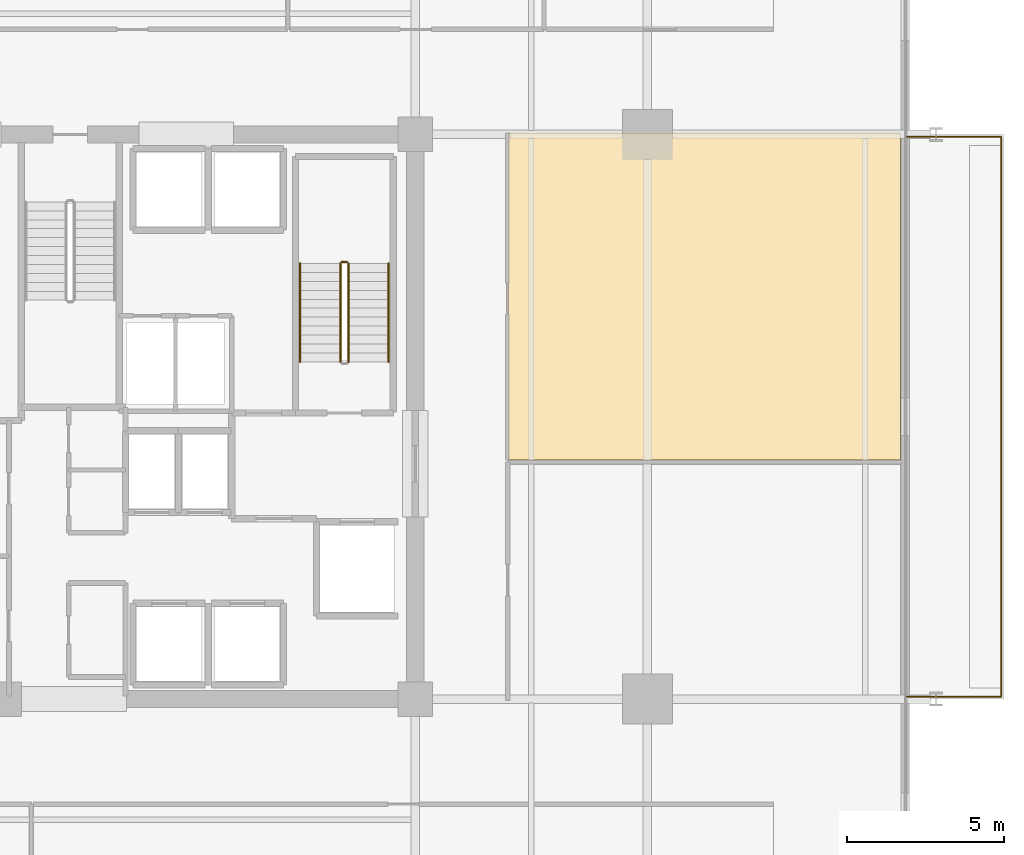
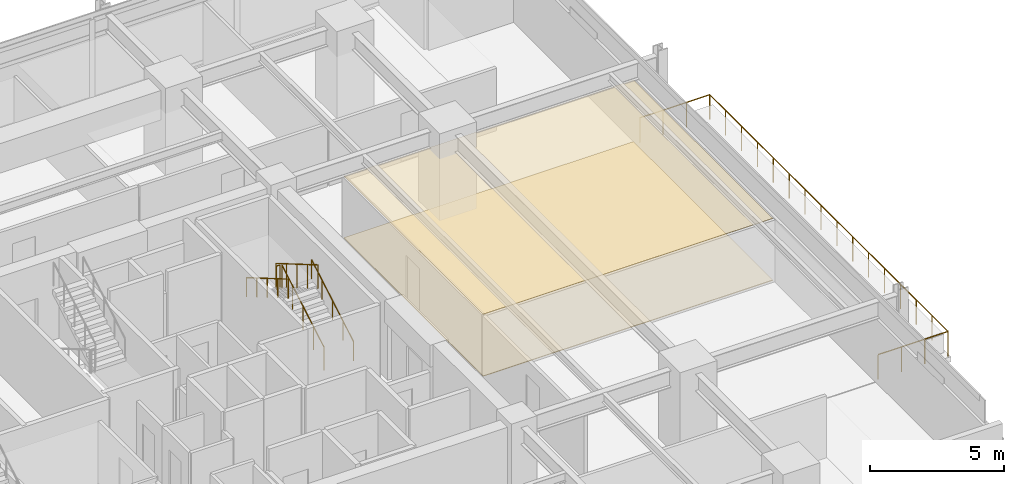
# One storey, part 21 of 22: 6 railings, 2 coverings.
"""IFC4 building model written with IfcOpenShell, lengths in metres."""

from ifc_helpers import new_model, si_unit, direction, frame, origin, origin_2d, place, context, subcontext, project, spatial, polyline, circle, outline, extrude, material, layer, layer_set, type_object, element, save


model = new_model("IFC4")

# Units and contexts
model_context = context("Model", 3, precision=1e-05, world=origin(), true_north=direction((0.0, 1.0)))
body_context = subcontext(model_context, "Body", "Model", "MODEL_VIEW")
ifc_project = project(units=[si_unit("LENGTHUNIT", "METRE"), si_unit("AREAUNIT", "SQUARE_METRE"), si_unit("VOLUMEUNIT", "CUBIC_METRE"), si_unit("PLANEANGLEUNIT", "RADIAN"), si_unit("MASSUNIT", "GRAM", prefix="KILO")], contexts=[model_context])

# Site, building, storey
site_placement = place(None, origin())
site = spatial("IfcSite", under=ifc_project, at=site_placement, CompositionType="ELEMENT")
building_placement = place(site_placement, origin())
building = spatial("IfcBuilding", under=site, at=building_placement, Name="Kovane Verandah Tower", CompositionType="ELEMENT")
storey_placement = place(building_placement, frame((0.0, 0.0, 180.39990234375)))
storey = spatial("IfcBuildingStorey", under=building, at=storey_placement, Name="L42", CompositionType="ELEMENT", Elevation=180.39990234375)

# Coverings
ifc_material_1 = material(Name="Perforated Acoustic Mineral-Fibre Ceiling Tile", Category="gypsum")
ifc_layer_1 = layer(ifc_material_1, 0.02490234375)
ifc_layer_set_1 = layer_set([ifc_layer_1], Name="Perforated Acoustic Mineral-Fibre Ceiling Tile")
covering_type_1 = type_object("IfcCoveringType", Name="CV-CEIL-25", PredefinedType="CEILING", material=ifc_layer_set_1)
covering_1_placement = place(storey_placement, frame((0.0, 0.0, 2.8251953125)))
element("IfcCovering", 1, at=covering_1_placement, inside=storey, type_object=covering_type_1, Name="L42 Collaboration Hub E2 Acoustic Ceiling", PredefinedType="CEILING", context=body_context, shape_type="SweptSolid", body=[
    extrude(outline(polyline([(53.949951171875, 26.1220703125), (66.469970703125, 26.1220703125), (66.469970703125, 36.550048828125), (53.949951171875, 36.550048828125), (53.949951171875, 26.1220703125)])), origin(), (0.0, 0.0, 1.0), 0.02490234375),
])
ifc_material_2 = material(Name="Polished Terrazzo and Raised-Access Carpet Tile Finish", Category="concrete")
ifc_layer_2 = layer(ifc_material_2, 0.030029296875)
ifc_layer_set_2 = layer_set([ifc_layer_2], Name="Polished Terrazzo and Raised-Access Carpet Tile Finish")
covering_type_2 = type_object("IfcCoveringType", Name="CV-FLOR-30", PredefinedType="FLOORING", material=ifc_layer_set_2)
covering_2_placement = place(storey_placement, origin())
element("IfcCovering", 2, at=covering_2_placement, inside=storey, type_object=covering_type_2, Name="L42 Collaboration Hub E2 Floor Finish", PredefinedType="FLOORING", context=body_context, shape_type="SweptSolid", body=[
    extrude(outline(polyline([(53.949951171875, 26.1220703125), (66.469970703125, 26.1220703125), (66.469970703125, 36.550048828125), (53.949951171875, 36.550048828125), (53.949951171875, 26.1220703125)])), origin(), (0.0, 0.0, 1.0), 0.030029296875),
])

# Railings
ifc_material_3 = material(Name="Laminated Glass and Pale-Champagne Stainless Balustrade", Category="glass")
railing_type_1 = type_object("IfcRailingType", Name="RL-BAL-1150", PredefinedType="BALUSTRADE", material=ifc_material_3)
railing_1_placement = place(storey_placement, frame((66.669921875, 18.580078125, 0.0)))
element("IfcRailing", 3, at=railing_1_placement, inside=storey, type_object=railing_type_1, Name="L42 E Verandah Glass Balustrade", PredefinedType="BALUSTRADE", context=body_context, shape_type="SweptSolid", body=[
    extrude(circle(Radius=0.02392578125, at=origin_2d()), frame((0.0, 0.0, 1.1259765625), z_axis=(1.0, 0.0, 0.0), x_axis=(0.0, 1.0, 0.0)), (0.0, 0.0, 1.0), 3.02001953125),
    extrude(circle(Radius=0.02392578125, at=origin_2d()), frame((3.02001953125, 0.0, 1.1259765625), z_axis=(0.0, 1.0, 0.0), x_axis=(-1.0, 0.0, 0.0)), (0.0, 0.0, 1.0), 17.83984375),
    extrude(circle(Radius=0.02392578125, at=origin_2d()), frame((3.02001953125, 17.83984375, 1.1259765625), z_axis=(-1.0, 0.0, 0.0), x_axis=(0.0, -1.0, 0.0)), (0.0, 0.0, 1.0), 3.02001953125),
    extrude(circle(Radius=0.02099609375, at=origin_2d()), origin(), (0.0, 0.0, 1.0), 1.101806640625),
    extrude(circle(Radius=0.02099609375, at=origin_2d()), frame((1.006591796875, 0.0, 0.0)), (0.0, 0.0, 1.0), 1.101806640625),
    extrude(circle(Radius=0.02099609375, at=origin_2d()), frame((2.013427734375, 0.0, 0.0)), (0.0, 0.0, 1.0), 1.101806640625),
    extrude(circle(Radius=0.02099609375, at=origin_2d()), frame((3.02001953125, 0.0, 0.0)), (0.0, 0.0, 1.0), 1.101806640625),
    extrude(circle(Radius=0.02099609375, at=origin_2d()), frame((3.02001953125, 1.189208984375, 0.0)), (0.0, 0.0, 1.0), 1.101806640625),
    extrude(circle(Radius=0.02099609375, at=origin_2d()), frame((3.02001953125, 2.378662109375, 0.0)), (0.0, 0.0, 1.0), 1.101806640625),
    extrude(circle(Radius=0.02099609375, at=origin_2d()), frame((3.02001953125, 3.56787109375, 0.0)), (0.0, 0.0, 1.0), 1.101806640625),
    extrude(circle(Radius=0.02099609375, at=origin_2d()), frame((3.02001953125, 4.75732421875, 0.0)), (0.0, 0.0, 1.0), 1.101806640625),
    extrude(circle(Radius=0.02099609375, at=origin_2d()), frame((3.02001953125, 5.946533203125, 0.0)), (0.0, 0.0, 1.0), 1.101806640625),
    extrude(circle(Radius=0.02099609375, at=origin_2d()), frame((3.02001953125, 7.135986328125, 0.0)), (0.0, 0.0, 1.0), 1.101806640625),
    extrude(circle(Radius=0.02099609375, at=origin_2d()), frame((3.02001953125, 8.3251953125, 0.0)), (0.0, 0.0, 1.0), 1.101806640625),
    extrude(circle(Radius=0.02099609375, at=origin_2d()), frame((3.02001953125, 9.5146484375, 0.0)), (0.0, 0.0, 1.0), 1.101806640625),
    extrude(circle(Radius=0.02099609375, at=origin_2d()), frame((3.02001953125, 10.703857421875, 0.0)), (0.0, 0.0, 1.0), 1.101806640625),
    extrude(circle(Radius=0.02099609375, at=origin_2d()), frame((3.02001953125, 11.893310546875, 0.0)), (0.0, 0.0, 1.0), 1.101806640625),
    extrude(circle(Radius=0.02099609375, at=origin_2d()), frame((3.02001953125, 13.08251953125, 0.0)), (0.0, 0.0, 1.0), 1.101806640625),
    extrude(circle(Radius=0.02099609375, at=origin_2d()), frame((3.02001953125, 14.27197265625, 0.0)), (0.0, 0.0, 1.0), 1.101806640625),
    extrude(circle(Radius=0.02099609375, at=origin_2d()), frame((3.02001953125, 15.461181640625, 0.0)), (0.0, 0.0, 1.0), 1.101806640625),
    extrude(circle(Radius=0.02099609375, at=origin_2d()), frame((3.02001953125, 16.650634765625, 0.0)), (0.0, 0.0, 1.0), 1.101806640625),
    extrude(circle(Radius=0.02099609375, at=origin_2d()), frame((3.02001953125, 17.83984375, 0.0)), (0.0, 0.0, 1.0), 1.101806640625),
    extrude(circle(Radius=0.02099609375, at=origin_2d()), frame((2.013427734375, 17.83984375, 0.0)), (0.0, 0.0, 1.0), 1.101806640625),
    extrude(circle(Radius=0.02099609375, at=origin_2d()), frame((1.006591796875, 17.83984375, 0.0)), (0.0, 0.0, 1.0), 1.101806640625),
    extrude(circle(Radius=0.02099609375, at=origin_2d()), frame((0.0, 17.83984375, 0.0)), (0.0, 0.0, 1.0), 1.101806640625),
])
ifc_material_4 = material(Name="Brushed Stainless Steel Handrail", Category="steel")
railing_type_2 = type_object("IfcRailingType", Name="RL-HAND-920", PredefinedType="HANDRAIL", material=ifc_material_4)
railing_2_placement = place(storey_placement, frame((50.14990234375, 29.25, 0.166748046875)))
element("IfcRailing", 4, at=railing_2_placement, inside=storey, type_object=railing_type_2, Name="L42 ST-02 stair handrail 1", PredefinedType="HANDRAIL", context=body_context, shape_type="SweptSolid", body=[
    extrude(circle(Radius=0.02392578125, at=origin_2d()), frame((0.0, 0.0, 0.8759765625), z_axis=(0.0, 0.863239559939, 0.504794475164), x_axis=(-1.0, 0.0, 0.0)), (0.0, 0.0, 1.0), 3.631591796875),
    extrude(circle(Radius=0.02099609375, at=origin_2d()), origin(), (0.0, 0.0, 1.0), 0.851806640625),
    extrude(circle(Radius=0.02099609375, at=origin_2d()), frame((0.0, 0.78369140625, 0.458251953125)), (0.0, 0.0, 1.0), 0.851806640625),
    extrude(circle(Radius=0.02099609375, at=origin_2d()), frame((0.0, 1.5673828125, 0.91650390625)), (0.0, 0.0, 1.0), 0.851806640625),
    extrude(circle(Radius=0.02099609375, at=origin_2d()), frame((0.0, 2.351318359375, 1.375)), (0.0, 0.0, 1.0), 0.851806640625),
    extrude(circle(Radius=0.02099609375, at=origin_2d()), frame((0.0, 3.135009765625, 1.833251953125)), (0.0, 0.0, 1.0), 0.851806640625),
])
railing_3_placement = place(storey_placement, frame((47.330078125, 32.385009765625, 2.166748046875)))
element("IfcRailing", 5, at=railing_3_placement, inside=storey, type_object=railing_type_2, Name="L42 ST-02 stair handrail 2", PredefinedType="HANDRAIL", context=body_context, shape_type="SweptSolid", body=[
    extrude(circle(Radius=0.02392578125, at=origin_2d()), frame((0.0, 0.0, 0.8759765625), z_axis=(0.0, -0.863239559939, 0.504794475164), x_axis=(1.0, 0.0, 0.0)), (0.0, 0.0, 1.0), 3.631591796875),
    extrude(circle(Radius=0.02099609375, at=origin_2d()), origin(), (0.0, 0.0, 1.0), 0.851806640625),
    extrude(circle(Radius=0.02099609375, at=origin_2d()), frame((0.0, -0.78369140625, 0.458251953125)), (0.0, 0.0, 1.0), 0.851806640625),
    extrude(circle(Radius=0.02099609375, at=origin_2d()), frame((0.0, -1.5673828125, 0.91650390625)), (0.0, 0.0, 1.0), 0.851806640625),
    extrude(circle(Radius=0.02099609375, at=origin_2d()), frame((0.0, -2.351318359375, 1.375)), (0.0, 0.0, 1.0), 0.851806640625),
    extrude(circle(Radius=0.02099609375, at=origin_2d()), frame((0.0, -3.135009765625, 1.833251953125)), (0.0, 0.0, 1.0), 0.851806640625),
])
ifc_material_5 = material(Name="Painted Steel Stairwell Guardrail", Category="steel")
railing_type_3 = type_object("IfcRailingType", Name="RL-STGUARD-1120", PredefinedType="GUARDRAIL", material=ifc_material_5)
railing_4_placement = place(storey_placement, frame((48.8701171875, 29.25, 0.166748046875)))
element("IfcRailing", 6, at=railing_4_placement, inside=storey, type_object=railing_type_3, Name="L42 ST-02 stair guard 1", PredefinedType="GUARDRAIL", context=body_context, shape_type="SweptSolid", body=[
    extrude(circle(Radius=0.02392578125, at=origin_2d()), frame((0.0, 0.0, 1.076171875), z_axis=(0.0, 0.863239559939, 0.504794475164), x_axis=(-1.0, 0.0, 0.0)), (0.0, 0.0, 1.0), 3.631591796875),
    extrude(circle(Radius=0.02099609375, at=origin_2d()), origin(), (0.0, 0.0, 1.0), 1.052001953125),
    extrude(circle(Radius=0.02099609375, at=origin_2d()), frame((0.0, 0.78369140625, 0.458251953125)), (0.0, 0.0, 1.0), 1.052001953125),
    extrude(circle(Radius=0.02099609375, at=origin_2d()), frame((0.0, 1.5673828125, 0.91650390625)), (0.0, 0.0, 1.0), 1.052001953125),
    extrude(circle(Radius=0.02099609375, at=origin_2d()), frame((0.0, 2.351318359375, 1.375)), (0.0, 0.0, 1.0), 1.052001953125),
    extrude(circle(Radius=0.02099609375, at=origin_2d()), frame((0.0, 3.135009765625, 1.833251953125)), (0.0, 0.0, 1.0), 1.052001953125),
])
railing_5_placement = place(storey_placement, frame((48.820068359375, 32.43505859375, 2.0)))
element("IfcRailing", 7, at=railing_5_placement, inside=storey, type_object=railing_type_3, Name="L42 ST-02 stair guard 2", PredefinedType="GUARDRAIL", context=body_context, shape_type="SweptSolid", body=[
    extrude(circle(Radius=0.02392578125, at=origin_2d()), frame((0.0, 0.0, 1.076171875), z_axis=(-1.0, 0.0, 0.0), x_axis=(0.0, -1.0, 0.0)), (0.0, 0.0, 1.0), 0.16015625),
    extrude(circle(Radius=0.02099609375, at=origin_2d()), origin(), (0.0, 0.0, 1.0), 1.052001953125),
    extrude(circle(Radius=0.02099609375, at=origin_2d()), frame((-0.16015625, 0.0, 0.0)), (0.0, 0.0, 1.0), 1.052001953125),
])
railing_6_placement = place(storey_placement, frame((48.610107421875, 32.385009765625, 2.166748046875)))
element("IfcRailing", 8, at=railing_6_placement, inside=storey, type_object=railing_type_3, Name="L42 ST-02 stair guard 3", PredefinedType="GUARDRAIL", context=body_context, shape_type="SweptSolid", body=[
    extrude(circle(Radius=0.02392578125, at=origin_2d()), frame((0.0, 0.0, 1.076171875), z_axis=(0.0, -0.863239559939, 0.504794475164), x_axis=(1.0, 0.0, 0.0)), (0.0, 0.0, 1.0), 3.631591796875),
    extrude(circle(Radius=0.02099609375, at=origin_2d()), origin(), (0.0, 0.0, 1.0), 1.052001953125),
    extrude(circle(Radius=0.02099609375, at=origin_2d()), frame((0.0, -0.78369140625, 0.458251953125)), (0.0, 0.0, 1.0), 1.052001953125),
    extrude(circle(Radius=0.02099609375, at=origin_2d()), frame((0.0, -1.5673828125, 0.91650390625)), (0.0, 0.0, 1.0), 1.052001953125),
    extrude(circle(Radius=0.02099609375, at=origin_2d()), frame((0.0, -2.351318359375, 1.375)), (0.0, 0.0, 1.0), 1.052001953125),
    extrude(circle(Radius=0.02099609375, at=origin_2d()), frame((0.0, -3.135009765625, 1.833251953125)), (0.0, 0.0, 1.0), 1.052001953125),
])

save(model, "model.ifc")
